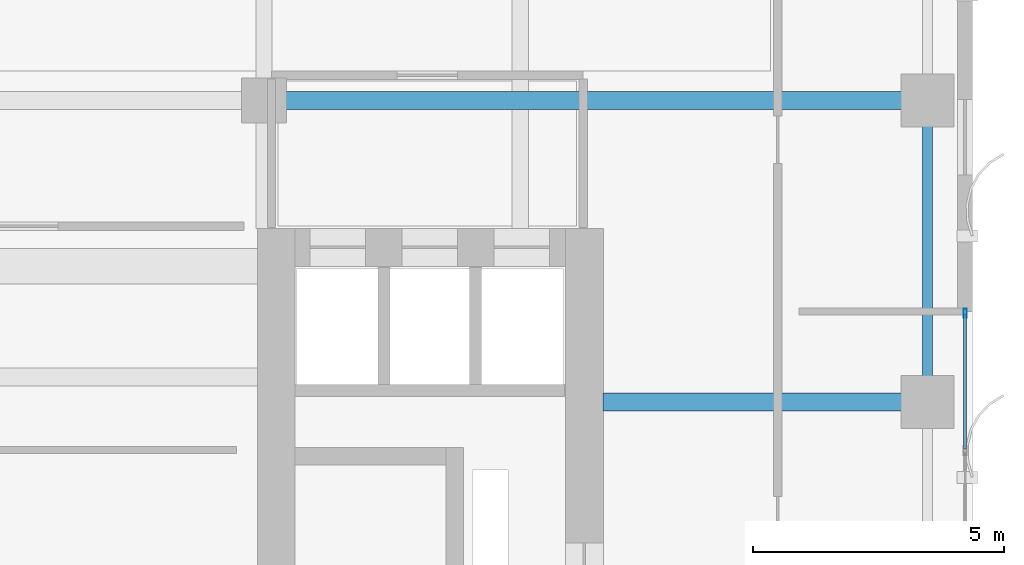
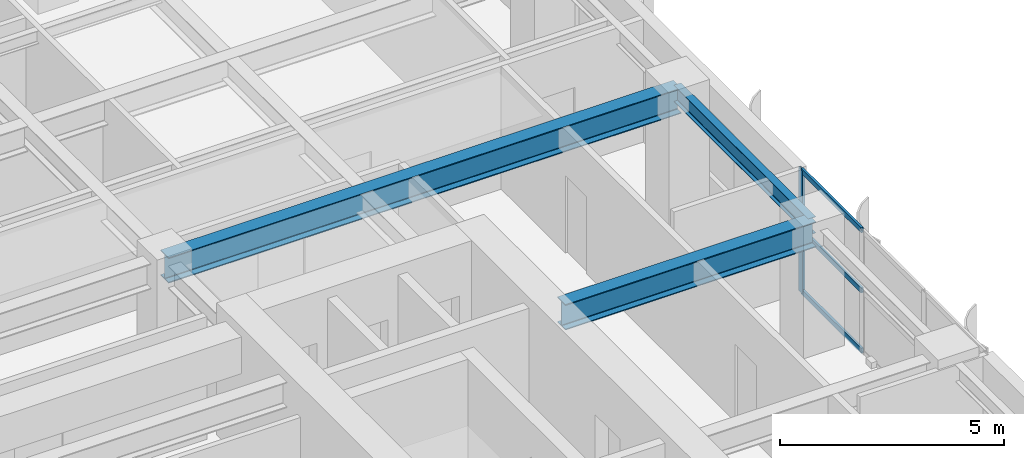
# One storey, part 7 of 22: 4 members, 3 beams, 1 element without a shape of its own.
"""IFC4 building model written with IfcOpenShell, lengths in metres."""

import ifcopenshell
import ifcopenshell.guid

model = None  # the IFC model being written
_history = None  # IfcOwnerHistory: only IFC2X3 demands one
_inside = {}  # id of a spatial element -> (the spatial element, [elements in it])
_under = {}  # id of a project, library or spatial element -> (it, [spatial elements below it])
_declared = {}  # id of a project -> (the project, [libraries it declares])
_typed = {}  # id of a type object -> (the type object, [elements of that type])
_made_of = {}  # id of a material, layer set ... -> (it, [elements and type objects made of it])


def new_model(schema):
    """Start an empty IFC model of exactly this schema.

    Asked for "IFC4X3", IfcOpenShell would pick the latest addendum, in which some entities
    have other attributes; the version numbers below select the first issue.
    IFC2X3 requires an IfcOwnerHistory on every rooted entity: one is made here for all.
    """
    global model, _history
    if schema == "IFC4X3":
        model = ifcopenshell.file(schema_version=(4, 3, 0, 0))
    else:
        model = ifcopenshell.file(schema=schema)
    _inside.clear()
    _under.clear()
    _declared.clear()
    _typed.clear()
    _made_of.clear()
    _history = None
    if model.schema == "IFC2X3":
        org = make("IfcOrganization", Name="unknown")
        user = make(
            "IfcPersonAndOrganization",
            ThePerson=make("IfcPerson", FamilyName="unknown"),
            TheOrganization=org,
        )
        app = make(
            "IfcApplication",
            ApplicationDeveloper=org,
            Version="unknown",
            ApplicationFullName="unknown",
            ApplicationIdentifier="unknown",
        )
        _history = make(
            "IfcOwnerHistory",
            OwningUser=user,
            OwningApplication=app,
            ChangeAction="ADDED",
            CreationDate=0,
        )
    return model


def make(cls, **values):
    """One entity of the class cls with the attributes given. An attribute that is None is left unset."""
    return model.create_entity(
        cls, **{name: value for name, value in values.items() if value is not None}
    )


def rooted(cls, **values):
    """An entity with a GlobalId (a new one), such as an element, a storey or a relation."""
    return make(cls, GlobalId=ifcopenshell.guid.new(), OwnerHistory=_history, **values)


def si_unit(unit_type, name, prefix=None):
    """IfcSIUnit, for example si_unit("LENGTHUNIT", "METRE", prefix="MILLI")."""
    return make("IfcSIUnit", UnitType=unit_type, Prefix=prefix, Name=name)


def assignment(units):
    """IfcUnitAssignment: the units of a project."""
    return None if units is None else make("IfcUnitAssignment", Units=units)


def point(xyz):
    """IfcCartesianPoint."""
    return None if xyz is None else make("IfcCartesianPoint", Coordinates=xyz)


def direction(xyz):
    """IfcDirection."""
    return None if xyz is None else make("IfcDirection", DirectionRatios=xyz)


def frame(location, z_axis=None, x_axis=None):
    """IfcAxis2Placement3D, a coordinate frame: its origin and axes. An axis left out is left unset."""
    return make(
        "IfcAxis2Placement3D",
        Location=point(location),
        Axis=direction(z_axis),
        RefDirection=direction(x_axis),
    )


def frame_2d(location, x_axis=None):
    """IfcAxis2Placement2D, a coordinate frame in the plane: its origin and x axis."""
    return make(
        "IfcAxis2Placement2D", Location=point(location), RefDirection=direction(x_axis)
    )


def origin():
    """The frame at (0, 0, 0) with its axes left unset."""
    return frame((0.0, 0.0, 0.0))


def origin_2d():
    """The frame at (0, 0) in the plane with its x axis left unset."""
    return frame_2d((0.0, 0.0))


def place(relative_to, where):
    """IfcLocalPlacement: puts the frame where relative to a parent placement (None: the world)."""
    return make(
        "IfcLocalPlacement", PlacementRelTo=relative_to, RelativePlacement=where
    )


def context(
    kind, dimensions, precision=None, world=None, true_north=None, identifier=None
):
    """IfcGeometricRepresentationContext, for example the 3D "Model" context."""
    return make(
        "IfcGeometricRepresentationContext",
        ContextIdentifier=identifier,
        ContextType=kind,
        CoordinateSpaceDimension=dimensions,
        Precision=precision,
        WorldCoordinateSystem=world,
        TrueNorth=true_north,
    )


def subcontext(parent, identifier, kind, view, scale=None):
    """IfcGeometricRepresentationSubContext, for example "Body" below "Model"."""
    return make(
        "IfcGeometricRepresentationSubContext",
        ContextIdentifier=identifier,
        ContextType=kind,
        ParentContext=parent,
        TargetScale=scale,
        TargetView=view,
    )


def project(units=None, contexts=None):
    """IfcProject with its units and contexts."""
    return rooted(
        "IfcProject",
        Name="project",
        RepresentationContexts=contexts,
        UnitsInContext=assignment(units),
    )


def spatial(cls, under=None, at=None, **own):
    """A site, building, storey or space (cls), placed at a placement, below another one or the project."""
    s = rooted(cls, ObjectPlacement=at, **own)
    if under is not None:
        _under.setdefault(under.id(), (under, []))[1].append(s)
    return s


def profile(cls, at=None, kind="AREA", **sizes):
    """A parametric profile (cls). Its sizes go by their IFC names, for example OverallWidth=200.0."""
    return make(cls, ProfileType=kind, Position=at, **sizes)


def hollow_rectangle(**sizes):
    """IfcRectangleHollowProfileDef."""
    return profile("IfcRectangleHollowProfileDef", **sizes)


def i_section(**sizes):
    """IfcIShapeProfileDef."""
    return profile("IfcIShapeProfileDef", **sizes)


def extrude(swept, where, along, depth):
    """IfcExtrudedAreaSolid: the profile swept, set in the frame where, extruded along a direction by depth."""
    return make(
        "IfcExtrudedAreaSolid",
        SweptArea=swept,
        Position=where,
        ExtrudedDirection=direction(along),
        Depth=depth,
    )


def shape(context_of_items, identifier, shape_type, items):
    """IfcShapeRepresentation: the items that make up one representation, for example the "Body"."""
    return make(
        "IfcShapeRepresentation",
        ContextOfItems=context_of_items,
        RepresentationIdentifier=identifier,
        RepresentationType=shape_type,
        Items=items,
    )


def source(mapping_origin, context_of_items, identifier, shape_type, items):
    """IfcRepresentationMap: a shape defined once, which mapped items show again and again."""
    return make(
        "IfcRepresentationMap",
        MappingOrigin=mapping_origin,
        MappedRepresentation=shape(context_of_items, identifier, shape_type, items),
    )


def transform(
    local_origin,
    x_axis=None,
    y_axis=None,
    z_axis=None,
    scale=None,
    scale2=None,
    scale3=None,
    uniform=True,
):
    """IfcCartesianTransformationOperator3D, or its non-uniform kind. x_axis, y_axis, z_axis: its Axis1, 2, 3."""
    if uniform:
        return make(
            "IfcCartesianTransformationOperator3D",
            Axis1=direction(x_axis),
            Axis2=direction(y_axis),
            LocalOrigin=point(local_origin),
            Scale=scale,
            Axis3=direction(z_axis),
        )
    return make(
        "IfcCartesianTransformationOperator3DnonUniform",
        Axis1=direction(x_axis),
        Axis2=direction(y_axis),
        LocalOrigin=point(local_origin),
        Scale=scale,
        Axis3=direction(z_axis),
        Scale2=scale2,
        Scale3=scale3,
    )


def mapped(mapping_source, mapping_target):
    """IfcMappedItem: shows the shape of a source again, moved by a transform."""
    return make(
        "IfcMappedItem", MappingSource=mapping_source, MappingTarget=mapping_target
    )


def material(Name=None, Category=None):
    """IfcMaterial."""
    return make("IfcMaterial", Name=Name, Category=Category)


def layer(
    of_material, thickness, ventilated=None, Name=None, Category=None, Priority=None
):
    """IfcMaterialLayer: one layer of a wall or slab, of a material (None: an air gap)."""
    return make(
        "IfcMaterialLayer",
        Material=of_material,
        LayerThickness=thickness,
        IsVentilated=ventilated,
        Name=Name,
        Category=Category,
        Priority=Priority,
    )


def layer_set(layers, Name=None):
    """IfcMaterialLayerSet."""
    return make("IfcMaterialLayerSet", MaterialLayers=layers, LayerSetName=Name)


def material_profile(
    of_material, cross_section, Name=None, Category=None, Priority=None
):
    """IfcMaterialProfile: a cross section and its material."""
    return make(
        "IfcMaterialProfile",
        Name=Name,
        Material=of_material,
        Profile=cross_section,
        Priority=Priority,
        Category=Category,
    )


def profile_set(profiles, Name=None, composite=None):
    """IfcMaterialProfileSet."""
    return make(
        "IfcMaterialProfileSet",
        Name=Name,
        MaterialProfiles=profiles,
        CompositeProfile=composite,
    )


def made_of(thing, what):
    """Note that an element or type object is made of a material, layer set ...; save() writes the relation."""
    if what is not None:
        _made_of.setdefault(what.id(), (what, []))[1].append(thing)
    return thing


def type_object(cls, material=None, **own):
    """A type object (cls), such as IfcWallType, which elements share."""
    return made_of(rooted(cls, **own), material)


def element(
    cls,
    number,
    at=None,
    inside=None,
    cuts=None,
    type_object=None,
    material=None,
    context=None,
    identifier="Body",
    shape_type=None,
    held_by="IfcProductDefinitionShape",
    body=None,
    shapes=None,
    **own,
):
    """One element of the class cls, such as IfcWall. Its Tag is "e" and its number.

    at: its placement. inside: the storey or other place that contains it. cuts: it is an
    opening in that element (IfcRelVoidsElement). A single representation is given by context,
    identifier, shape_type and body (its items); several are given by shapes. held_by: the class
    of the entity that holds the representations. save() writes the other relations.
    """
    e = rooted(cls, Tag="e%d" % number, ObjectPlacement=at, **own)
    if body is not None:
        shapes = [shape(context, identifier, shape_type, body)]
    if shapes is not None:
        e.Representation = make(held_by, Representations=shapes)
    if inside is not None:
        _inside.setdefault(inside.id(), (inside, []))[1].append(e)
    if cuts is not None:
        rooted(
            "IfcRelVoidsElement", RelatingBuildingElement=cuts, RelatedOpeningElement=e
        )
    if type_object is not None:
        _typed.setdefault(type_object.id(), (type_object, []))[1].append(e)
    return made_of(e, material)


def aggregate(whole, parts):
    """IfcRelAggregates: a whole, such as a stair, and the parts it consists of."""
    return rooted("IfcRelAggregates", RelatingObject=whole, RelatedObjects=parts)


def save(model, path):
    """Write the relations noted so far, then the file.

    IfcRelAggregates (storeys below a building ...), IfcRelContainedInSpatialStructure (elements
    in a storey), IfcRelDefinesByType, IfcRelAssociatesMaterial and IfcRelDeclares: one each for
    every whole, place, type object, material and project.
    """
    for whole, parts in _under.values():
        aggregate(whole, parts)
    for where, things in _inside.values():
        rooted(
            "IfcRelContainedInSpatialStructure",
            RelatedElements=things,
            RelatingStructure=where,
        )
    for kind, things in _typed.values():
        rooted("IfcRelDefinesByType", RelatedObjects=things, RelatingType=kind)
    for what, things in _made_of.values():
        rooted("IfcRelAssociatesMaterial", RelatedObjects=things, RelatingMaterial=what)
    for by, libraries in _declared.values():
        rooted("IfcRelDeclares", RelatingContext=by, RelatedDefinitions=libraries)
    model.write(path)


model = new_model("IFC4")

# Units and contexts
model_context = context("Model", 3, precision=1e-05, world=origin(), true_north=direction((0.0, 1.0)))
body_context = subcontext(model_context, "Body", "Model", "MODEL_VIEW")
ifc_project = project(units=[si_unit("LENGTHUNIT", "METRE"), si_unit("AREAUNIT", "SQUARE_METRE"), si_unit("VOLUMEUNIT", "CUBIC_METRE"), si_unit("PLANEANGLEUNIT", "RADIAN"), si_unit("MASSUNIT", "GRAM", prefix="KILO")], contexts=[model_context])

# Site, building, storey
site_placement = place(None, origin())
site = spatial("IfcSite", under=ifc_project, at=site_placement, CompositionType="ELEMENT")
building_placement = place(site_placement, origin())
building = spatial("IfcBuilding", under=site, at=building_placement, Name="Khoralis Quay Care Tower", CompositionType="ELEMENT")
storey_placement = place(building_placement, frame((0.0, 0.0, 98.10009765625)))
storey = spatial("IfcBuildingStorey", under=building, at=storey_placement, Name="L25", CompositionType="ELEMENT", Elevation=98.10009765625)

# Beams
ifc_material_1 = material(Name="Steel S355", Category="steel")
ifc_material_profile_1 = material_profile(ifc_material_1, i_section(OverallWidth=0.18994140625, OverallDepth=0.449951171875, WebThickness=0.009521484375, FlangeThickness=0.0146484375, FilletRadius=0.02099609375, at=origin_2d()), Name="Steel S355")
ifc_profile_set_1 = profile_set([ifc_material_profile_1], Name="Steel S355")
beam_type_1 = type_object("IfcBeamType", Name="BM-IPE450", PredefinedType="SPANDREL", material=ifc_profile_set_1)
shared_shape_1 = source(origin(), body_context, "Body", "SweptSolid", [
    extrude(i_section(OverallWidth=0.18994140625, OverallDepth=0.449951171875, WebThickness=0.009521484375, FlangeThickness=0.0146484375, FilletRadius=0.02099609375, at=origin_2d()), origin(), (0.0, 0.0, 1.0), 6.0),
])
beam_1_placement = place(storey_placement, frame((44.10009765625, 24.0, 3.114990234375), z_axis=(0.0, 1.0, 0.0), x_axis=(-1.0, 0.0, 0.0)))
element("IfcBeam", 1, at=beam_1_placement, inside=storey, type_object=beam_type_1, Name="BM-TSP-L25-19", PredefinedType="SPANDREL", context=body_context, shape_type="MappedRepresentation", body=[
    mapped(shared_shape_1, transform((0.0, 0.0, 0.0), scale=1.0)),
])
ifc_material_profile_2 = material_profile(ifc_material_1, i_section(OverallWidth=0.35498046875, OverallDepth=0.695068359375, WebThickness=0.015380859375, FlangeThickness=0.02490234375, FilletRadius=0.02001953125, at=origin_2d()), Name="Steel S355")
ifc_profile_set_2 = profile_set([ifc_material_profile_2], Name="Steel S355")
beam_type_2 = type_object("IfcBeamType", Name="BM-W690X217", PredefinedType="BEAM", material=ifc_profile_set_2)
shared_shape_2 = source(origin(), body_context, "Body", "SweptSolid", [
    extrude(i_section(OverallWidth=0.35498046875, OverallDepth=0.695068359375, WebThickness=0.015380859375, FlangeThickness=0.02490234375, FilletRadius=0.02001953125, at=origin_2d()), origin(), (0.0, 0.0, 1.0), 13.2001953125),
])
beam_2_placement = place(storey_placement, frame((30.89990234375, 30.0, 2.992431640625), z_axis=(1.0, 0.0, 0.0), x_axis=(0.0, 1.0, 0.0)))
element("IfcBeam", 2, at=beam_2_placement, inside=storey, type_object=beam_type_2, Name="BM-TGXE-L25-300", PredefinedType="BEAM", context=body_context, shape_type="MappedRepresentation", body=[
    mapped(shared_shape_2, transform((0.0, 0.0, 0.0), scale=1.0)),
])
shared_shape_3 = source(origin(), body_context, "Body", "SweptSolid", [
    extrude(i_section(OverallWidth=0.35498046875, OverallDepth=0.695068359375, WebThickness=0.015380859375, FlangeThickness=0.02490234375, FilletRadius=0.02001953125, at=origin_2d()), origin(), (0.0, 0.0, 1.0), 6.4521484375),
])
beam_3_placement = place(storey_placement, frame((37.64794921875, 24.0, 2.992431640625), z_axis=(1.0, 0.0, 0.0), x_axis=(0.0, 1.0, 0.0)))
element("IfcBeam", 3, at=beam_3_placement, inside=storey, type_object=beam_type_2, Name="BM-TGXE-L25-240", PredefinedType="BEAM", context=body_context, shape_type="MappedRepresentation", body=[
    mapped(shared_shape_3, transform((0.0, 0.0, 0.0), scale=1.0)),
])

# Curtain wall, members
ifc_material_2 = material(Name="Pale anodised aluminium", Category="aluminium")
ifc_layer = layer(ifc_material_2, 0.169921875)
ifc_layer_set = layer_set([ifc_layer], Name="Pale anodised aluminium")
curtain_wall_type = type_object("IfcCurtainWallType", Name="CW-SYS-Z2", PredefinedType="NOTDEFINED", material=ifc_layer_set)
curtain_wall_placement = place(storey_placement, origin())
curtain_wall = element("IfcCurtainWall", 4, at=curtain_wall_placement, inside=storey, type_object=curtain_wall_type, Name="L25 Unitised Curtain Wall CW-L25-P1-E5", PredefinedType="NOTDEFINED")
ifc_material_profile_3 = material_profile(ifc_material_2, hollow_rectangle(XDim=0.06005859375, YDim=0.139892578125, WallThickness=0.00390625, at=origin_2d()), Name="Pale anodised aluminium")
ifc_profile_set_3 = profile_set([ifc_material_profile_3], Name="Pale anodised aluminium")
member_type_1 = type_object("IfcMemberType", Name="CW-TRN-140", PredefinedType="USERDEFINED", material=ifc_profile_set_3)
shared_shape_4 = source(origin(), body_context, "Body", "SweptSolid", [
    extrude(hollow_rectangle(XDim=0.06005859375, YDim=0.139892578125, WallThickness=0.00390625, at=origin_2d()), origin(), (0.0, 0.0, 1.0), 2.6767578125),
])
member_1_placement = place(storey_placement, frame((44.85009765625, 23.063232421875, 0.02978515625), z_axis=(0.0, 1.0, 0.0), x_axis=(-1.0, 0.0, 0.0)))
member_1 = element("IfcMember", 5, at=member_1_placement, type_object=member_type_1, Name="CW2 transom 3.1", ObjectType="TRANSOM", PredefinedType="USERDEFINED", context=body_context, shape_type="MappedRepresentation", body=[
    mapped(shared_shape_4, transform((0.0, 0.0, 0.0), scale=1.0)),
])
member_2_placement = place(storey_placement, frame((44.85009765625, 23.063232421875, 1.669921875), z_axis=(0.0, 1.0, 0.0), x_axis=(-1.0, 0.0, 0.0)))
member_2 = element("IfcMember", 6, at=member_2_placement, type_object=member_type_1, Name="CW2 transom 3.2", ObjectType="TRANSOM", PredefinedType="USERDEFINED", context=body_context, shape_type="MappedRepresentation", body=[
    mapped(shared_shape_4, transform((0.0, 0.0, 0.0), scale=1.0)),
])
member_3_placement = place(storey_placement, frame((44.85009765625, 23.063232421875, 3.309814453125), z_axis=(0.0, 1.0, 0.0), x_axis=(-1.0, 0.0, 0.0)))
member_3 = element("IfcMember", 7, at=member_3_placement, type_object=member_type_1, Name="CW2 transom 3.3", ObjectType="TRANSOM", PredefinedType="USERDEFINED", context=body_context, shape_type="MappedRepresentation", body=[
    mapped(shared_shape_4, transform((0.0, 0.0, 0.0), scale=1.0)),
])
ifc_material_profile_4 = material_profile(ifc_material_2, hollow_rectangle(XDim=0.06494140625, YDim=0.179931640625, WallThickness=0.00390625, at=origin_2d()), Name="Pale anodised aluminium")
ifc_profile_set_4 = profile_set([ifc_material_profile_4], Name="Pale anodised aluminium")
member_type_2 = type_object("IfcMemberType", Name="CW-MUL-180", PredefinedType="MULLION", material=ifc_profile_set_4)
shared_shape_5 = source(origin(), body_context, "Body", "SweptSolid", [
    extrude(hollow_rectangle(XDim=0.06494140625, YDim=0.179931640625, WallThickness=0.00390625, at=origin_2d()), origin(), (0.0, 0.0, 1.0), 3.33984375),
])
member_4_placement = place(storey_placement, frame((44.85009765625, 25.77001953125, 0.0), z_axis=(0.0, 0.0, 1.0), x_axis=(-1.0, 0.0, 0.0)))
member_4 = element("IfcMember", 8, at=member_4_placement, type_object=member_type_2, Name="CW2 mullion 4", PredefinedType="MULLION", context=body_context, shape_type="MappedRepresentation", body=[
    mapped(shared_shape_5, transform((0.0, 0.0, 0.0), scale=1.0)),
])
aggregate(curtain_wall, [member_4, member_1, member_2, member_3])

save(model, "model.ifc")
